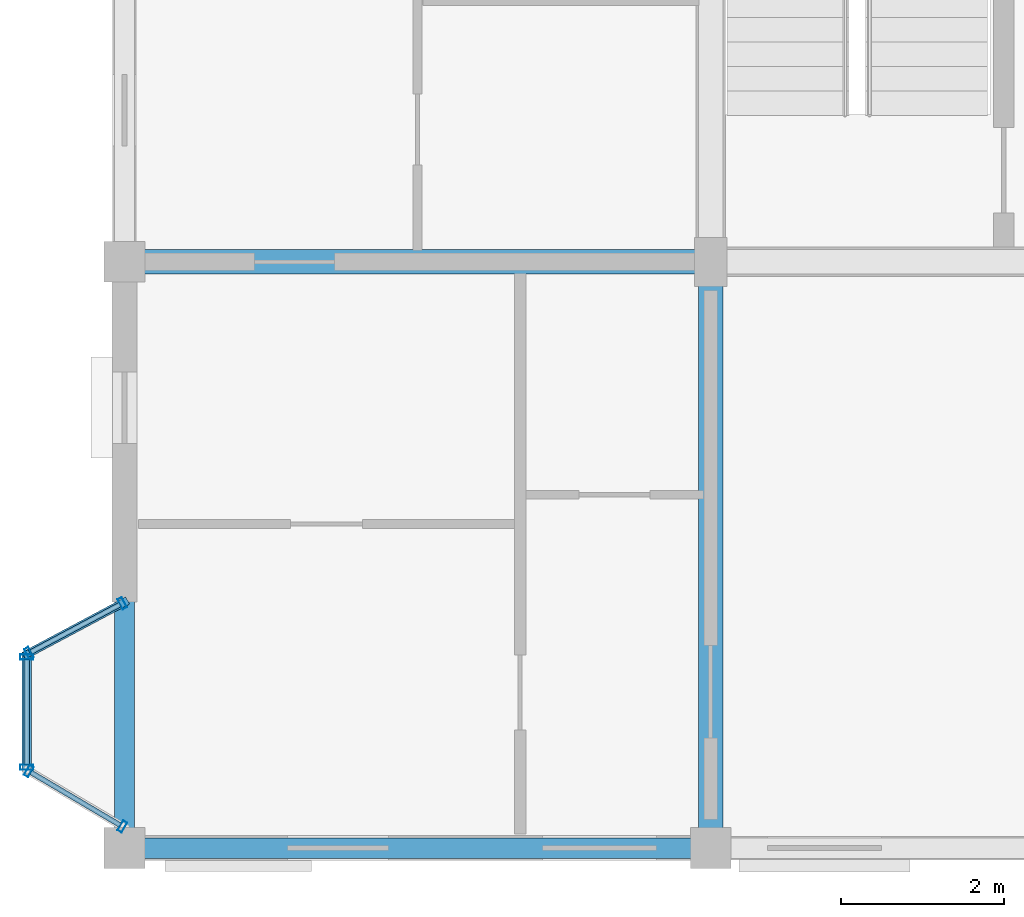
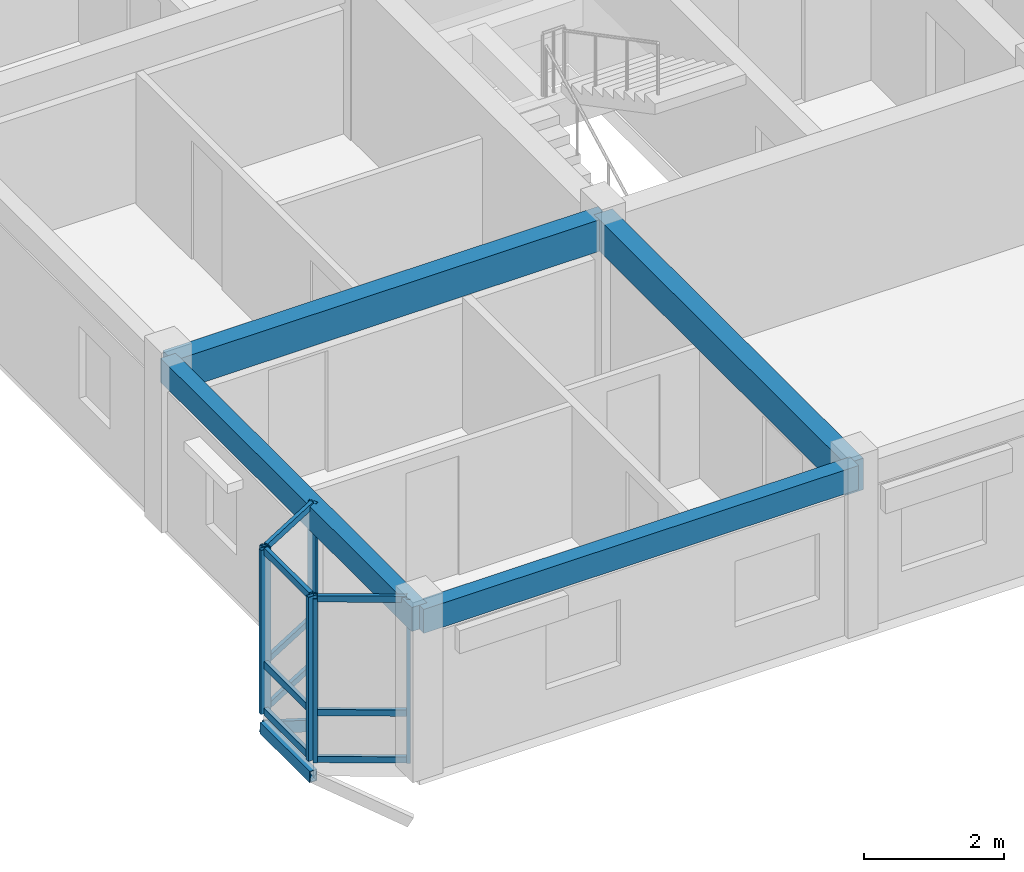
# One storey, part 3 of 65: 17 members, 4 beams, 3 elements without a shape of their own.
"""IFC4 building model written with IfcOpenShell, lengths in metres."""

from ifc_helpers import new_model, si_unit, direction, frame, origin, origin_2d, place, context, subcontext, project, spatial, rectangle, hollow_rectangle, extrude, material, layer, layer_set, material_profile, profile_set, type_object, element, aggregate, save


model = new_model("IFC4")

# Units and contexts
model_context = context("Model", 3, precision=1e-05, world=origin(), true_north=direction((0.0, 1.0)))
body_context = subcontext(model_context, "Body", "Model", "MODEL_VIEW")
ifc_project = project(units=[si_unit("LENGTHUNIT", "METRE"), si_unit("AREAUNIT", "SQUARE_METRE"), si_unit("VOLUMEUNIT", "CUBIC_METRE"), si_unit("PLANEANGLEUNIT", "RADIAN"), si_unit("MASSUNIT", "GRAM", prefix="KILO"), si_unit("THERMODYNAMICTEMPERATUREUNIT", "KELVIN"), si_unit("POWERUNIT", "WATT")], contexts=[model_context])

# Site, building, storey
site_placement = place(None, origin())
site = spatial("IfcSite", under=ifc_project, at=site_placement, CompositionType="ELEMENT")
building_placement = place(site_placement, origin())
building = spatial("IfcBuilding", under=site, at=building_placement, Name="Tavuni Mirador Residences", CompositionType="ELEMENT")
storey_placement = place(building_placement, frame((0.0, 0.0, 29.699951171875)))
storey = spatial("IfcBuildingStorey", under=building, at=storey_placement, Name="L09", CompositionType="ELEMENT", Elevation=29.699951171875)

# Beams
ifc_material_1 = material(Name="Precast concrete C40/50", Category="concrete")
ifc_material_profile_1 = material_profile(ifc_material_1, rectangle(XDim=0.300048828125, YDim=0.550048828125, at=origin_2d()), Name="PC 300x550", Category="concrete")
ifc_profile_set_1 = profile_set([ifc_material_profile_1], Name="Precast concrete C40/50")
beam_type_1 = type_object("IfcBeamType", Name="BT-B550", PredefinedType="BEAM", material=ifc_profile_set_1)
for number, where, z_axis, x_axis, name in (
    (1, (3.60009765625, 14.39990234375, 2.594970703125), (1.0, 0.0, 0.0), (0.0, 1.0, 0.0), "BMX-BLK-A-L09-00-01"),
    (2, (10.800048828125, 7.199951171875, 2.594970703125), (0.0, 1.0, 0.0), (-1.0, 0.0, 0.0), "BMY-BLK-A-L09-01-00"),
):
    element("IfcBeam", number, at=place(storey_placement, frame(where, z_axis=z_axis, x_axis=x_axis)), inside=storey, type_object=beam_type_1, Name=name, PredefinedType="BEAM", context=body_context, shape_type="SweptSolid", body=[
        extrude(rectangle(XDim=0.300048828125, YDim=0.550048828125, at=origin_2d()), origin(), (0.0, 0.0, 1.0), 7.199951171875),
    ])
ifc_material_profile_2 = material_profile(ifc_material_1, rectangle(XDim=0.25, YDim=0.419921875, at=origin_2d()), Name="PC 250x420", Category="concrete")
ifc_profile_set_2 = profile_set([ifc_material_profile_2], Name="Precast concrete C40/50")
beam_type_2 = type_object("IfcBeamType", Name="BT-SP420", PredefinedType="SPANDREL", material=ifc_profile_set_2)
for number, where, z_axis, x_axis, name in (
    (3, (3.60009765625, 7.199951171875, 2.66015625), (1.0, 0.0, 0.0), (0.0, 1.0, 0.0), "BMX-BLK-A-L09-00-00"),
    (4, (3.60009765625, 7.199951171875, 2.66015625), (0.0, 1.0, 0.0), (-1.0, 0.0, 0.0), "BMY-BLK-A-L09-00-00"),
):
    element("IfcBeam", number, at=place(storey_placement, frame(where, z_axis=z_axis, x_axis=x_axis)), inside=storey, type_object=beam_type_2, Name=name, PredefinedType="SPANDREL", context=body_context, shape_type="SweptSolid", body=[
        extrude(rectangle(XDim=0.25, YDim=0.419921875, at=origin_2d()), origin(), (0.0, 0.0, 1.0), 7.199951171875),
    ])

# Curtain wall, members
ifc_material_2 = material(Name="Anodised aluminium", Category="aluminium")
ifc_layer_1 = layer(ifc_material_2, 0.175048828125, Name="Anodised aluminium", Category="aluminium")
ifc_layer_set_1 = layer_set([ifc_layer_1], Name="Anodised aluminium")
curtain_wall_type_1 = type_object("IfcCurtainWallType", Name="CWT-MIR-C", PredefinedType="NOTDEFINED", material=ifc_layer_set_1)
curtain_wall_1_placement = place(storey_placement, origin())
curtain_wall_1 = element("IfcCurtainWall", 5, at=curtain_wall_1_placement, inside=storey, type_object=curtain_wall_type_1, Name="CW-MIR-A-W1-L09-M1", PredefinedType="NOTDEFINED")
ifc_material_profile_3 = material_profile(ifc_material_2, hollow_rectangle(XDim=0.06005859375, YDim=0.139892578125, WallThickness=0.00390625, at=origin_2d()), Name="ALU 60x140x4.0", Category="aluminium")
ifc_profile_set_3 = profile_set([ifc_material_profile_3], Name="Anodised aluminium")
member_type_1 = type_object("IfcMemberType", Name="CWM-140", PredefinedType="MULLION", material=ifc_profile_set_3)
member_1_placement = place(storey_placement, frame((3.573486328125, 10.205810546875, 0.0), z_axis=(0.0, 0.0, 1.0), x_axis=(-0.882352941175, -0.470588235296, 0.0)))
member_1 = element("IfcMember", 6, at=member_1_placement, type_object=member_type_1, Name="CW-03 mullion 1", PredefinedType="MULLION", context=body_context, shape_type="SweptSolid", body=[
    extrude(hollow_rectangle(XDim=0.06005859375, YDim=0.139892578125, WallThickness=0.00390625, at=origin_2d()), origin(), (0.0, 0.0, 1.0), 2.8701171875),
])
member_2_placement = place(storey_placement, frame((2.426513671875, 9.59423828125, 0.0), z_axis=(0.0, 0.0, 1.0), x_axis=(-0.882352941175, -0.470588235296, 0.0)))
member_2 = element("IfcMember", 7, at=member_2_placement, type_object=member_type_1, Name="CW-03 mullion 2", PredefinedType="MULLION", context=body_context, shape_type="SweptSolid", body=[
    extrude(hollow_rectangle(XDim=0.06005859375, YDim=0.139892578125, WallThickness=0.00390625, at=origin_2d()), origin(), (0.0, 0.0, 1.0), 2.8701171875),
])

ifc_layer_2 = layer(ifc_material_2, 0.1650390625, Name="Anodised aluminium", Category="aluminium")
ifc_layer_set_2 = layer_set([ifc_layer_2], Name="Anodised aluminium")
curtain_wall_type_2 = type_object("IfcCurtainWallType", Name="CWT-MIR-A", PredefinedType="NOTDEFINED", material=ifc_layer_set_2)
curtain_wall_2_placement = place(storey_placement, origin())
curtain_wall_2 = element("IfcCurtainWall", 8, at=curtain_wall_2_placement, inside=storey, type_object=curtain_wall_type_2, Name="CW-MIR-A-W1-L09-M2", PredefinedType="NOTDEFINED")
member_3_placement = place(storey_placement, frame((2.42578125, 8.144775390625, 0.0), z_axis=(0.0, 0.0, 1.0), x_axis=(0.860640830284, -0.509212491254, 0.0)))
member_3 = element("IfcMember", 9, at=member_3_placement, type_object=member_type_1, Name="CW-01 mullion 1", PredefinedType="MULLION", context=body_context, shape_type="SweptSolid", body=[
    extrude(hollow_rectangle(XDim=0.06005859375, YDim=0.139892578125, WallThickness=0.00390625, at=origin_2d()), origin(), (0.0, 0.0, 1.0), 2.8701171875),
])
member_4_placement = place(storey_placement, frame((3.57421875, 7.46533203125, 0.0), z_axis=(0.0, 0.0, 1.0), x_axis=(0.860640830284, -0.509212491254, 0.0)))
member_4 = element("IfcMember", 10, at=member_4_placement, type_object=member_type_1, Name="CW-01 mullion 2", PredefinedType="MULLION", context=body_context, shape_type="SweptSolid", body=[
    extrude(hollow_rectangle(XDim=0.06005859375, YDim=0.139892578125, WallThickness=0.00390625, at=origin_2d()), origin(), (0.0, 0.0, 1.0), 2.8701171875),
])

ifc_layer_3 = layer(ifc_material_2, 0.159912109375, Name="Anodised aluminium", Category="aluminium")
ifc_layer_set_3 = layer_set([ifc_layer_3], Name="Anodised aluminium")
curtain_wall_type_3 = type_object("IfcCurtainWallType", Name="CWT-MIR-D", PredefinedType="NOTDEFINED", material=ifc_layer_set_3)
curtain_wall_3_placement = place(storey_placement, origin())
curtain_wall_3 = element("IfcCurtainWall", 11, at=curtain_wall_3_placement, inside=storey, type_object=curtain_wall_type_3, Name="CW-MIR-A-W1-L09-MF", PredefinedType="NOTDEFINED")
ifc_material_profile_4 = material_profile(ifc_material_2, hollow_rectangle(XDim=0.06494140625, YDim=0.1650390625, WallThickness=0.00439453125, at=origin_2d()), Name="ALU 65x165x4.5", Category="aluminium")
ifc_profile_set_4 = profile_set([ifc_material_profile_4], Name="Anodised aluminium")
member_type_2 = type_object("IfcMemberType", Name="CWM-165", PredefinedType="MULLION", material=ifc_profile_set_4)
member_5_placement = place(storey_placement, frame((2.39990234375, 9.547607421875, 0.0), z_axis=(0.0, 0.0, 1.0), x_axis=(0.0, -1.0, 0.0)))
member_5 = element("IfcMember", 12, at=member_5_placement, type_object=member_type_2, Name="CW-04 mullion 1", PredefinedType="MULLION", context=body_context, shape_type="SweptSolid", body=[
    extrude(hollow_rectangle(XDim=0.06494140625, YDim=0.1650390625, WallThickness=0.00439453125, at=origin_2d()), origin(), (0.0, 0.0, 1.0), 2.8701171875),
])
member_6_placement = place(storey_placement, frame((2.39990234375, 8.1923828125, 0.0), z_axis=(0.0, 0.0, 1.0), x_axis=(0.0, -1.0, 0.0)))
member_6 = element("IfcMember", 13, at=member_6_placement, type_object=member_type_2, Name="CW-04 mullion 2", PredefinedType="MULLION", context=body_context, shape_type="SweptSolid", body=[
    extrude(hollow_rectangle(XDim=0.06494140625, YDim=0.1650390625, WallThickness=0.00439453125, at=origin_2d()), origin(), (0.0, 0.0, 1.0), 2.8701171875),
])

# Member
ifc_material_profile_5 = material_profile(ifc_material_2, hollow_rectangle(XDim=0.06005859375, YDim=0.110107421875, WallThickness=0.00390625, at=origin_2d()), Name="ALU 60x110x4.0", Category="aluminium")
ifc_profile_set_5 = profile_set([ifc_material_profile_5], Name="Anodised aluminium")
member_type_3 = type_object("IfcMemberType", Name="CWT-110", PredefinedType="USERDEFINED", material=ifc_profile_set_5)
member_7_placement = place(storey_placement, frame((3.547119140625, 10.191650390625, 0.030029296875), z_axis=(-0.882385637708, -0.470526924168, 0.0), x_axis=(0.470526924168, -0.882385637708, 0.0)))
member_7 = element("IfcMember", 14, at=member_7_placement, type_object=member_type_3, Name="CW-03 transom 1.1", ObjectType="TRANSOM", PredefinedType="USERDEFINED", context=body_context, shape_type="SweptSolid", body=[
    extrude(hollow_rectangle(XDim=0.06005859375, YDim=0.110107421875, WallThickness=0.00390625, at=origin_2d()), origin(), (0.0, 0.0, 1.0), 1.239990234375),
])

member_8_placement = place(storey_placement, frame((3.547119140625, 10.191650390625, 0.85009765625), z_axis=(-0.882385637708, -0.470526924168, 0.0), x_axis=(0.470526924168, -0.882385637708, 0.0)))
member_8 = element("IfcMember", 15, at=member_8_placement, type_object=member_type_3, Name="CW-03 transom 1.2", ObjectType="TRANSOM", PredefinedType="USERDEFINED", context=body_context, shape_type="SweptSolid", body=[
    extrude(hollow_rectangle(XDim=0.06005859375, YDim=0.110107421875, WallThickness=0.00390625, at=origin_2d()), origin(), (0.0, 0.0, 1.0), 1.239990234375),
])

member_9_placement = place(storey_placement, frame((3.547119140625, 10.191650390625, 2.840087890625), z_axis=(-0.882385637708, -0.470526924168, 0.0), x_axis=(0.470526924168, -0.882385637708, 0.0)))
member_9 = element("IfcMember", 16, at=member_9_placement, type_object=member_type_3, Name="CW-03 transom 1.3", ObjectType="TRANSOM", PredefinedType="USERDEFINED", context=body_context, shape_type="SweptSolid", body=[
    extrude(hollow_rectangle(XDim=0.06005859375, YDim=0.110107421875, WallThickness=0.00390625, at=origin_2d()), origin(), (0.0, 0.0, 1.0), 1.239990234375),
])

aggregate(curtain_wall_1, [member_1, member_2, member_7, member_8, member_9])

member_10_placement = place(storey_placement, frame((2.45166015625, 8.12939453125, 0.030029296875), z_axis=(0.860621238039, -0.509245603452, 0.0), x_axis=(0.509245603452, 0.860621238039, 0.0)))
member_10 = element("IfcMember", 17, at=member_10_placement, type_object=member_type_3, Name="CW-01 transom 1.1", ObjectType="TRANSOM", PredefinedType="USERDEFINED", context=body_context, shape_type="SweptSolid", body=[
    extrude(hollow_rectangle(XDim=0.06005859375, YDim=0.110107421875, WallThickness=0.00390625, at=origin_2d()), origin(), (0.0, 0.0, 1.0), 1.274169921875),
])

member_11_placement = place(storey_placement, frame((2.45166015625, 8.12939453125, 0.85009765625), z_axis=(0.860621238039, -0.509245603452, 0.0), x_axis=(0.509245603452, 0.860621238039, 0.0)))
member_11 = element("IfcMember", 18, at=member_11_placement, type_object=member_type_3, Name="CW-01 transom 1.2", ObjectType="TRANSOM", PredefinedType="USERDEFINED", context=body_context, shape_type="SweptSolid", body=[
    extrude(hollow_rectangle(XDim=0.06005859375, YDim=0.110107421875, WallThickness=0.00390625, at=origin_2d()), origin(), (0.0, 0.0, 1.0), 1.274169921875),
])

member_12_placement = place(storey_placement, frame((2.45166015625, 8.12939453125, 2.840087890625), z_axis=(0.860621238039, -0.509245603452, 0.0), x_axis=(0.509245603452, 0.860621238039, 0.0)))
member_12 = element("IfcMember", 19, at=member_12_placement, type_object=member_type_3, Name="CW-01 transom 1.3", ObjectType="TRANSOM", PredefinedType="USERDEFINED", context=body_context, shape_type="SweptSolid", body=[
    extrude(hollow_rectangle(XDim=0.06005859375, YDim=0.110107421875, WallThickness=0.00390625, at=origin_2d()), origin(), (0.0, 0.0, 1.0), 1.274169921875),
])

aggregate(curtain_wall_2, [member_3, member_4, member_10, member_11, member_12])

ifc_material_profile_6 = material_profile(ifc_material_2, hollow_rectangle(XDim=0.06494140625, YDim=0.125, WallThickness=0.00439453125, at=origin_2d()), Name="ALU 65x125x4.5", Category="aluminium")
ifc_profile_set_6 = profile_set([ifc_material_profile_6], Name="Anodised aluminium")
member_type_4 = type_object("IfcMemberType", Name="CWT-125", PredefinedType="USERDEFINED", material=ifc_profile_set_6)
member_13_placement = place(storey_placement, frame((2.39990234375, 9.514892578125, 0.032470703125), z_axis=(0.0, -1.0, 0.0), x_axis=(1.0, 0.0, 0.0)))
member_13 = element("IfcMember", 20, at=member_13_placement, type_object=member_type_4, Name="CW-04 transom 1.1", ObjectType="TRANSOM", PredefinedType="USERDEFINED", context=body_context, shape_type="SweptSolid", body=[
    extrude(hollow_rectangle(XDim=0.06494140625, YDim=0.125, WallThickness=0.00439453125, at=origin_2d()), origin(), (0.0, 0.0, 1.0), 1.289794921875),
])

member_14_placement = place(storey_placement, frame((2.39990234375, 9.514892578125, 0.85009765625), z_axis=(0.0, -1.0, 0.0), x_axis=(1.0, 0.0, 0.0)))
member_14 = element("IfcMember", 21, at=member_14_placement, type_object=member_type_4, Name="CW-04 transom 1.2", ObjectType="TRANSOM", PredefinedType="USERDEFINED", context=body_context, shape_type="SweptSolid", body=[
    extrude(hollow_rectangle(XDim=0.06494140625, YDim=0.125, WallThickness=0.00439453125, at=origin_2d()), origin(), (0.0, 0.0, 1.0), 1.289794921875),
])

member_15_placement = place(storey_placement, frame((2.39990234375, 9.514892578125, 2.837646484375), z_axis=(0.0, -1.0, 0.0), x_axis=(1.0, 0.0, 0.0)))
member_15 = element("IfcMember", 22, at=member_15_placement, type_object=member_type_4, Name="CW-04 transom 1.3", ObjectType="TRANSOM", PredefinedType="USERDEFINED", context=body_context, shape_type="SweptSolid", body=[
    extrude(hollow_rectangle(XDim=0.06494140625, YDim=0.125, WallThickness=0.00439453125, at=origin_2d()), origin(), (0.0, 0.0, 1.0), 1.289794921875),
])

aggregate(curtain_wall_3, [member_5, member_6, member_13, member_14, member_15])

# Members
ifc_material_3 = material(Name="Structural steel S355", Category="steel")
ifc_material_profile_7 = material_profile(ifc_material_3, hollow_rectangle(XDim=0.10009765625, YDim=0.179931640625, WallThickness=0.008056640625, at=origin_2d()), Name="RHS 180x100x8.0", Category="steel")
ifc_profile_set_7 = profile_set([ifc_material_profile_7], Name="Structural steel S355")
member_type_5 = type_object("IfcMemberType", Name="MT-BR-RHS180", PredefinedType="BRACE", material=ifc_profile_set_7)
member_16_placement = place(storey_placement, frame((3.60009765625, 10.219970703125, -1.050048828125), z_axis=(-0.767896193149, -0.409409260017, 0.492665702439), x_axis=(0.470467115558, -0.882417527692, 0.0)))
element("IfcMember", 23, at=member_16_placement, inside=storey, type_object=member_type_5, Name="MBRK-MIR-A-W1-L09-2", PredefinedType="BRACE", context=body_context, shape_type="SweptSolid", body=[
    extrude(hollow_rectangle(XDim=0.10009765625, YDim=0.179931640625, WallThickness=0.008056640625, at=origin_2d()), origin(), (0.0, 0.0, 1.0), 1.56298828125),
])
ifc_material_profile_8 = material_profile(ifc_material_3, hollow_rectangle(XDim=0.1201171875, YDim=0.199951171875, WallThickness=0.010009765625, at=origin_2d()), Name="RHS 200x120x10.0", Category="steel")
ifc_profile_set_8 = profile_set([ifc_material_profile_8], Name="Structural steel S355")
member_type_6 = type_object("IfcMemberType", Name="MT-ST-RHS200", PredefinedType="STRUT", material=ifc_profile_set_8)
member_17_placement = place(storey_placement, frame((2.39990234375, 8.159912109375, -0.280029296875), z_axis=(0.0, 1.0, 0.0), x_axis=(-1.0, 0.0, 0.0)))
element("IfcMember", 24, at=member_17_placement, inside=storey, type_object=member_type_6, Name="MRIM-MIR-A-W1-L09", PredefinedType="STRUT", context=body_context, shape_type="SweptSolid", body=[
    extrude(hollow_rectangle(XDim=0.1201171875, YDim=0.199951171875, WallThickness=0.010009765625, at=origin_2d()), origin(), (0.0, 0.0, 1.0), 1.420166015625),
])

save(model, "model.ifc")
